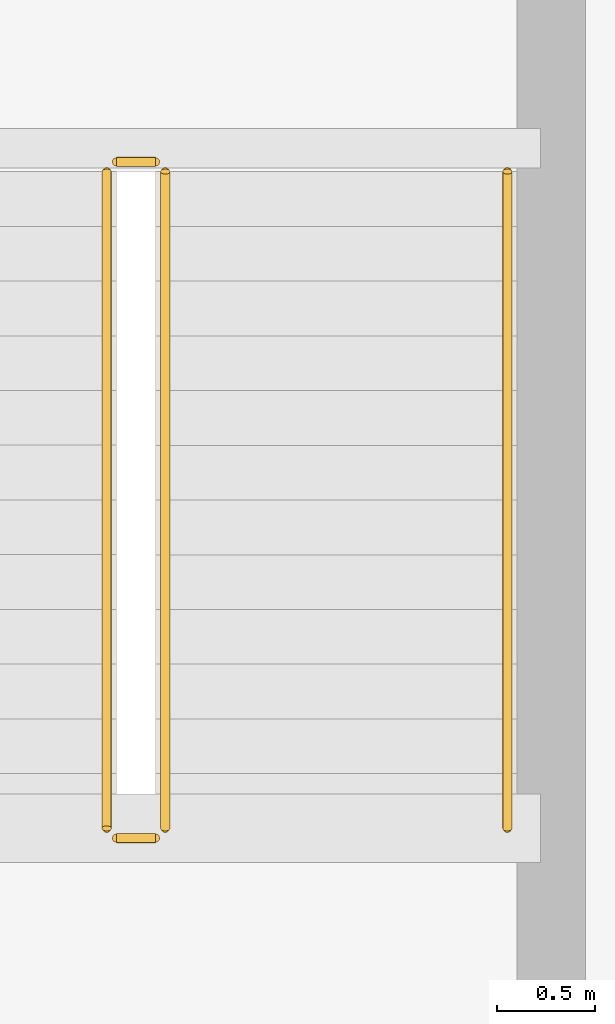
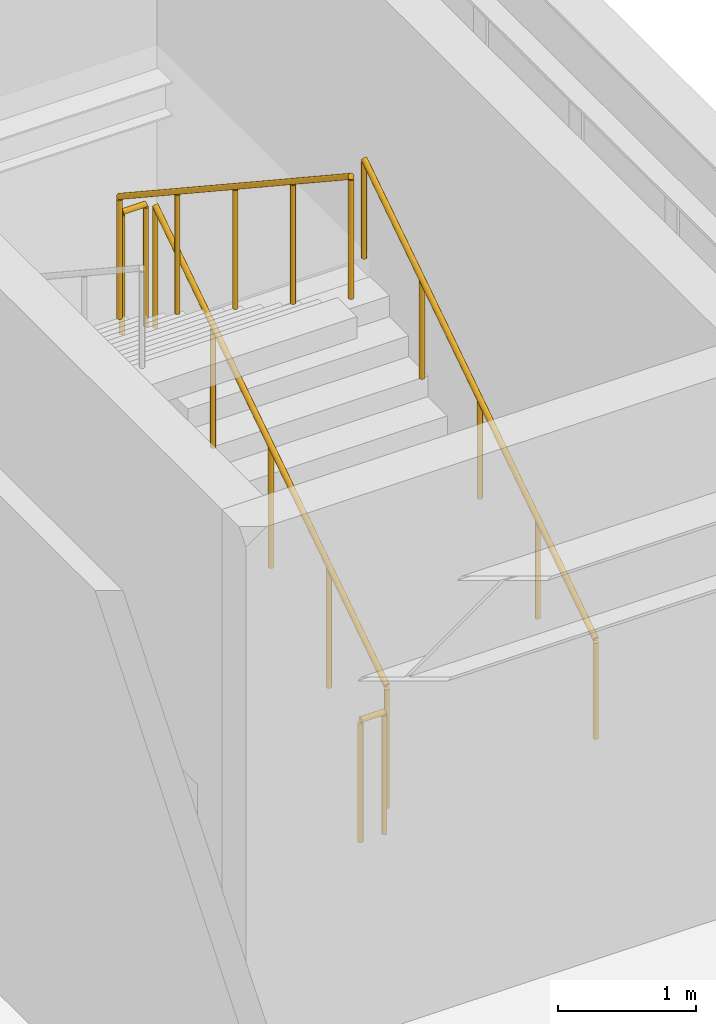
# One storey, part 85 of 85: 5 railings.
"""IFC4 building model written with IfcOpenShell, lengths in metres."""

from ifc_helpers import new_model, si_unit, direction, frame, origin, origin_2d, place, context, subcontext, project, spatial, circle, extrude, material, type_object, element, save


model = new_model("IFC4")

# Units and contexts
model_context = context("Model", 3, precision=1e-05, world=origin(), true_north=direction((0.0, 1.0)))
body_context = subcontext(model_context, "Body", "Model", "MODEL_VIEW")
ifc_project = project(units=[si_unit("LENGTHUNIT", "METRE"), si_unit("AREAUNIT", "SQUARE_METRE"), si_unit("VOLUMEUNIT", "CUBIC_METRE"), si_unit("PLANEANGLEUNIT", "RADIAN"), si_unit("MASSUNIT", "GRAM", prefix="KILO")], contexts=[model_context])

# Site, building, storey
site_placement = place(None, origin())
site = spatial("IfcSite", under=ifc_project, at=site_placement, CompositionType="ELEMENT")
building_placement = place(site_placement, origin())
building = spatial("IfcBuilding", under=site, at=building_placement, Name="Vaelkrest Opera House", CompositionType="ELEMENT")
storey_placement = place(building_placement, frame((0.0, 0.0, 10.199951171875)))
storey = spatial("IfcBuildingStorey", under=building, at=storey_placement, Name="L02", CompositionType="ELEMENT", Elevation=10.199951171875)

# Railings
ifc_material = material(Name="Dark bronze anodized aluminium", Category="aluminium")
railing_type_1 = type_object("IfcRailingType", Name="GR02", PredefinedType="GUARDRAIL", material=ifc_material)
railing_1_placement = place(storey_placement, frame((74.39990234375, -16.550048828125, 0.1845703125)))
element("IfcRailing", 1, at=railing_1_placement, inside=storey, type_object=railing_type_1, Name="L02 ST10 stair guard 1", PredefinedType="GUARDRAIL", context=body_context, shape_type="SweptSolid", body=[
    extrude(circle(Radius=0.02392578125, at=origin_2d()), frame((0.0, 0.0, 1.076171875), z_axis=(0.0, 0.834848600103, 0.550479622607), x_axis=(-1.0, 0.0, 0.0)), (0.0, 0.0, 1.0), 4.02490234375),
    extrude(circle(Radius=0.02099609375, at=origin_2d()), origin(), (0.0, 0.0, 1.0), 1.052001953125),
    extrude(circle(Radius=0.02099609375, at=origin_2d()), frame((0.0, 0.840087890625, 0.553955078125)), (0.0, 0.0, 1.0), 1.052001953125),
    extrude(circle(Radius=0.02099609375, at=origin_2d()), frame((0.0, 1.68017578125, 1.10791015625)), (0.0, 0.0, 1.0), 1.052001953125),
    extrude(circle(Radius=0.02099609375, at=origin_2d()), frame((0.0, 2.52001953125, 1.66162109375)), (0.0, 0.0, 1.0), 1.052001953125),
    extrude(circle(Radius=0.02099609375, at=origin_2d()), frame((0.0, 3.360107421875, 2.215576171875)), (0.0, 0.0, 1.0), 1.052001953125),
])
railing_2_placement = place(storey_placement, frame((74.35009765625, -13.139892578125, 2.400146484375)))
element("IfcRailing", 2, at=railing_2_placement, inside=storey, type_object=railing_type_1, Name="L02 ST10 stair guard 2", PredefinedType="GUARDRAIL", context=body_context, shape_type="SweptSolid", body=[
    extrude(circle(Radius=0.02392578125, at=origin_2d()), frame((0.0, 0.0, 1.076171875), z_axis=(-1.0, 0.0, 0.0), x_axis=(0.0, -1.0, 0.0)), (0.0, 0.0, 1.0), 0.2001953125),
    extrude(circle(Radius=0.02099609375, at=origin_2d()), origin(), (0.0, 0.0, 1.0), 1.052001953125),
    extrude(circle(Radius=0.02099609375, at=origin_2d()), frame((-0.2001953125, 0.0, 0.0)), (0.0, 0.0, 1.0), 1.052001953125),
])
railing_3_placement = place(storey_placement, frame((74.10009765625, -13.18994140625, 2.584716796875)))
element("IfcRailing", 3, at=railing_3_placement, inside=storey, type_object=railing_type_1, Name="L02 ST10 stair guard 3", PredefinedType="GUARDRAIL", context=body_context, shape_type="SweptSolid", body=[
    extrude(circle(Radius=0.02392578125, at=origin_2d()), frame((0.0, 0.0, 1.076171875), z_axis=(0.0, -0.834876476806, 0.550437342915), x_axis=(1.0, 0.0, 0.0)), (0.0, 0.0, 1.0), 4.024658203125),
    extrude(circle(Radius=0.02099609375, at=origin_2d()), origin(), (0.0, 0.0, 1.0), 1.052001953125),
    extrude(circle(Radius=0.02099609375, at=origin_2d()), frame((0.0, -0.840087890625, 0.5537109375)), (0.0, 0.0, 1.0), 1.052001953125),
    extrude(circle(Radius=0.02099609375, at=origin_2d()), frame((0.0, -1.68017578125, 1.107666015625)), (0.0, 0.0, 1.0), 1.052001953125),
    extrude(circle(Radius=0.02099609375, at=origin_2d()), frame((0.0, -2.52001953125, 1.66162109375)), (0.0, 0.0, 1.0), 1.052001953125),
    extrude(circle(Radius=0.02099609375, at=origin_2d()), frame((0.0, -3.360107421875, 2.21533203125)), (0.0, 0.0, 1.0), 1.052001953125),
])
railing_4_placement = place(storey_placement, frame((74.35009765625, -16.60009765625, 0.0)))
element("IfcRailing", 4, at=railing_4_placement, inside=storey, type_object=railing_type_1, Name="L02 ST10 stair guard 4", PredefinedType="GUARDRAIL", context=body_context, shape_type="SweptSolid", body=[
    extrude(circle(Radius=0.02392578125, at=origin_2d()), frame((0.0, 0.0, 1.076171875), z_axis=(-1.0, 0.0, 0.0), x_axis=(0.0, -1.0, 0.0)), (0.0, 0.0, 1.0), 0.2001953125),
    extrude(circle(Radius=0.02099609375, at=origin_2d()), origin(), (0.0, 0.0, 1.0), 1.052001953125),
    extrude(circle(Radius=0.02099609375, at=origin_2d()), frame((-0.2001953125, 0.0, 0.0)), (0.0, 0.0, 1.0), 1.052001953125),
])
railing_type_2 = type_object("IfcRailingType", Name="HR02", PredefinedType="HANDRAIL", material=ifc_material)
railing_5_placement = place(storey_placement, frame((76.14990234375, -16.550048828125, 0.1845703125)))
element("IfcRailing", 5, at=railing_5_placement, inside=storey, type_object=railing_type_2, Name="L02 ST10 stair handrail 1", PredefinedType="HANDRAIL", context=body_context, shape_type="SweptSolid", body=[
    extrude(circle(Radius=0.02392578125, at=origin_2d()), frame((0.0, 0.0, 0.8759765625), z_axis=(0.0, 0.834848600103, 0.550479622607), x_axis=(-1.0, 0.0, 0.0)), (0.0, 0.0, 1.0), 4.02490234375),
    extrude(circle(Radius=0.02099609375, at=origin_2d()), origin(), (0.0, 0.0, 1.0), 0.851806640625),
    extrude(circle(Radius=0.02099609375, at=origin_2d()), frame((0.0, 0.840087890625, 0.553955078125)), (0.0, 0.0, 1.0), 0.851806640625),
    extrude(circle(Radius=0.02099609375, at=origin_2d()), frame((0.0, 1.68017578125, 1.10791015625)), (0.0, 0.0, 1.0), 0.851806640625),
    extrude(circle(Radius=0.02099609375, at=origin_2d()), frame((0.0, 2.52001953125, 1.66162109375)), (0.0, 0.0, 1.0), 0.851806640625),
    extrude(circle(Radius=0.02099609375, at=origin_2d()), frame((0.0, 3.360107421875, 2.215576171875)), (0.0, 0.0, 1.0), 0.851806640625),
])

save(model, "model.ifc")
